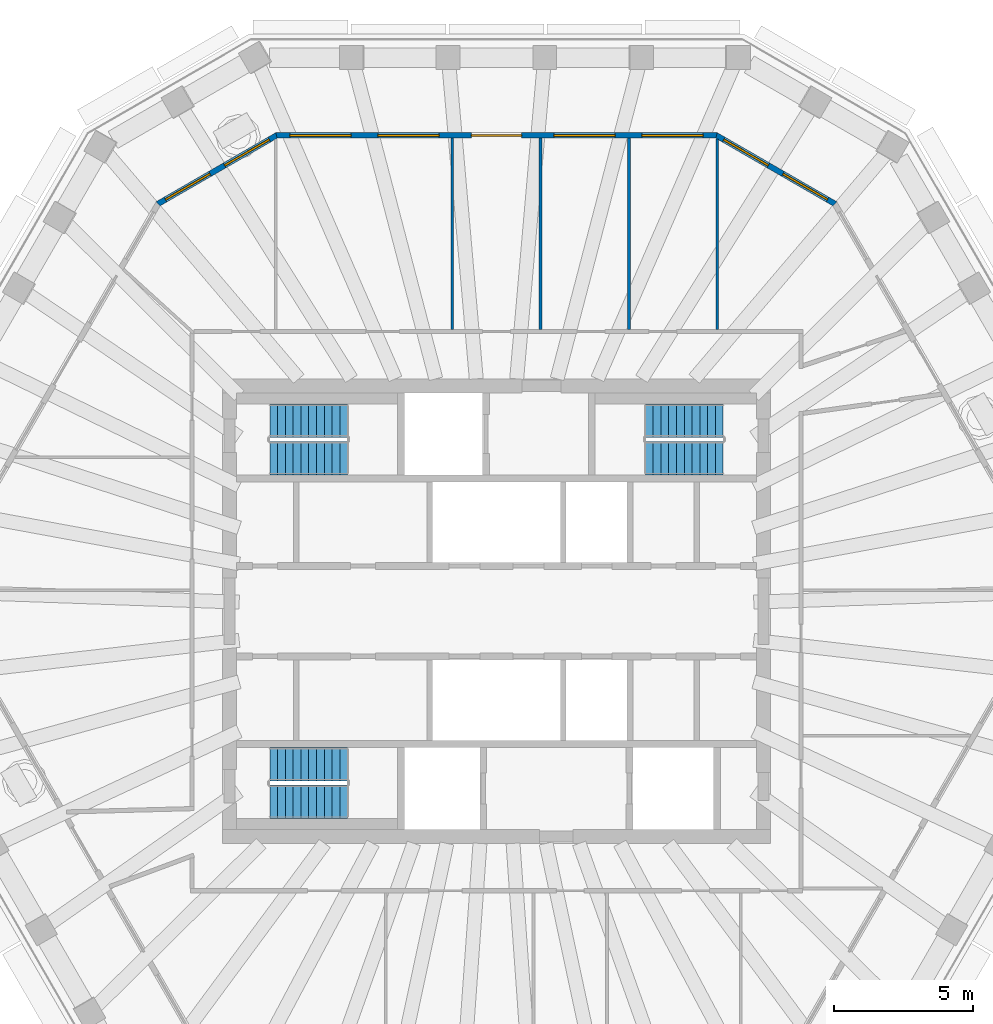
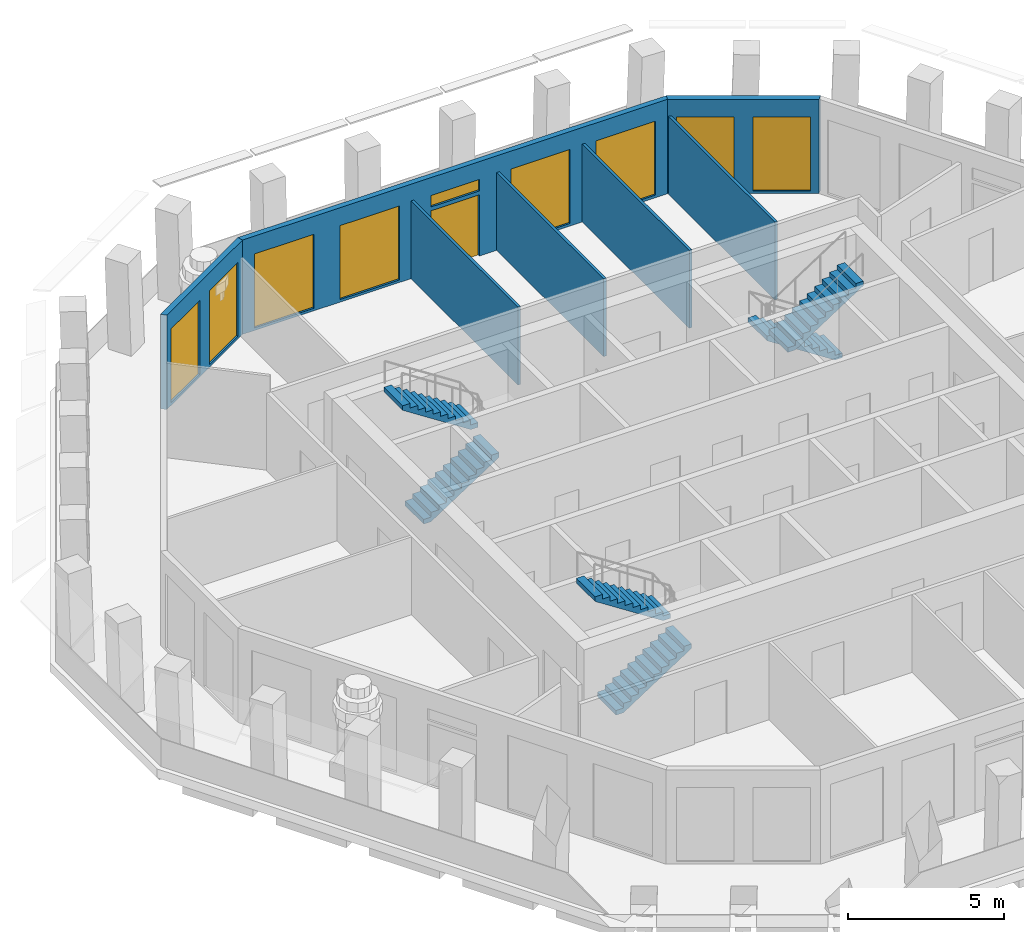
# One storey, part 7 of 11: 9 windows, 7 walls, 6 stair flights, 1 door, 10 openings, 3 elements without a shape of their own.
"""IFC4 building model written with IfcOpenShell, lengths in metres."""

from ifc_helpers import new_model, si_unit, direction, frame, frame_2d, origin, place, context, subcontext, project, spatial, polyline, rectangle, outline, extrude, material, layer, layer_set, type_object, element, fill, aggregate, save


model = new_model("IFC4")

# Units and contexts
model_context = context("Model", 3, precision=1e-05, world=origin(), true_north=direction((0.0, 1.0)))
body_context = subcontext(model_context, "Body", "Model", "MODEL_VIEW")
ifc_project = project(units=[si_unit("LENGTHUNIT", "METRE"), si_unit("AREAUNIT", "SQUARE_METRE"), si_unit("VOLUMEUNIT", "CUBIC_METRE"), si_unit("PLANEANGLEUNIT", "RADIAN"), si_unit("MASSUNIT", "GRAM", prefix="KILO")], contexts=[model_context])

# Site, building, storey
site_placement = place(None, origin())
site = spatial("IfcSite", under=ifc_project, at=site_placement, CompositionType="ELEMENT")
building_placement = place(site_placement, origin())
building = spatial("IfcBuilding", under=site, at=building_placement, Name="Frailejon Research Tower", CompositionType="ELEMENT")
storey_placement = place(building_placement, frame((0.0, 0.0, 332.60009765625)))
storey = spatial("IfcBuildingStorey", under=building, at=storey_placement, Name="L74", CompositionType="ELEMENT", Elevation=332.60009765625)

# Walls
ifc_material_1 = material(Name="Gypsum board and masonry partition", Category="masonry")
ifc_layer_1 = layer(ifc_material_1, 0.10009765625)
ifc_layer_set_1 = layer_set([ifc_layer_1], Name="Partition, gypsum on steel studs 100")
wall_type_1 = type_object("IfcWallType", Name="Partition, gypsum on steel studs 100", PredefinedType="PARTITIONING", material=ifc_layer_set_1)
wall_1_placement = place(storey_placement, frame((7.934814453125, 10.125, 0.0), z_axis=(0.0, 0.0, 1.0), x_axis=(0.0, 1.0, 0.0)))
element("IfcWall", 1, at=wall_1_placement, inside=storey, type_object=wall_type_1, Name="T:IW:L74:013", PredefinedType="PARTITIONING", context=body_context, shape_type="SweptSolid", body=[
    extrude(rectangle(XDim=6.843994140625, YDim=0.10009765625, at=frame_2d((3.421875, 0.0))), origin(), (0.0, 0.0, 1.0), 3.0498046875),
])
for number, where, z_axis, x_axis, name in (
    (2, (4.7607421875, 10.125, 0.0), (0.0, 0.0, 1.0), (0.0, 1.0, 0.0), "T:IW:L74:014"),
    (3, (1.5869140625, 10.125, 0.0), (0.0, 0.0, 1.0), (0.0, 1.0, 0.0), "T:IW:L74:015"),
    (4, (-1.5869140625, 10.125, 0.0), (0.0, 0.0, 1.0), (0.0, 1.0, 0.0), "T:IW:L74:016"),
):
    element("IfcWall", number, at=place(storey_placement, frame(where, z_axis=z_axis, x_axis=x_axis)), inside=storey, type_object=wall_type_1, Name=name, PredefinedType="PARTITIONING", context=body_context, shape_type="SweptSolid", body=[
        extrude(rectangle(XDim=6.875, YDim=0.10009765625, at=frame_2d((3.4375, 0.0))), origin(), (0.0, 0.0, 1.0), 3.0498046875),
    ])

# Wall, openings, windows
ifc_material_2 = material(Name="Concrete C40/50 precast window wall panel", Category="concrete")
ifc_layer_2 = layer(ifc_material_2, 0.199951171875)
ifc_layer_set_2 = layer_set([ifc_layer_2], Name="Window wall 200")
wall_type_2 = type_object("IfcWallType", Name="Window wall 200", PredefinedType="SOLIDWALL", material=ifc_layer_set_2)
wall_2_placement = place(storey_placement, frame((12.16162109375, 14.644287109375, 0.0), z_axis=(0.0, 0.0, 1.0), x_axis=(-0.866029143232, 0.499993523031, 0.0)))
wall_2 = element("IfcWall", 5, at=wall_2_placement, inside=storey, type_object=wall_type_2, Name="Exterior wall L74", PredefinedType="SOLIDWALL", context=body_context, shape_type="SweptSolid", body=[
    extrude(outline(polyline([(-0.02685546875, -0.10009765625), (1.21435546875, -0.10009765625), (2.455810546875, -0.10009765625), (3.697265625, -0.10009765625), (4.9384765625, -0.10009765625), (4.884765625, 0.10009765625), (3.67041015625, 0.10009765625), (2.455810546875, 0.10009765625), (1.2412109375, 0.10009765625), (0.02685546875, 0.10009765625), (-0.02685546875, -0.10009765625)])), origin(), (0.0, 0.0, 1.0), 3.699951171875),
])
opening_1_placement = place(wall_2_placement, frame((0.302978515625, 0.0, 0.10009765625)))
opening_1 = element("IfcOpeningElement", 6, at=opening_1_placement, cuts=wall_2, Name="Opening W26", PredefinedType="OPENING", context=body_context, shape_type="SweptSolid", body=[
    extrude(rectangle(XDim=1.85009765625, YDim=2.89990234375, at=frame_2d((0.925048828125, 1.449951171875))), frame((0.0, 0.10986328125, 0.0), z_axis=(0.0, -1.0, 0.0), x_axis=(1.0, 0.0, 0.0)), (0.0, 0.0, 1.0), 0.219970703125),
])
opening_2_placement = place(wall_2_placement, frame((2.7587890625, 0.0, 0.10009765625)))
opening_2 = element("IfcOpeningElement", 7, at=opening_2_placement, cuts=wall_2, Name="Opening W26", PredefinedType="OPENING", context=body_context, shape_type="SweptSolid", body=[
    extrude(rectangle(XDim=1.85009765625, YDim=2.89990234375, at=frame_2d((0.925048828125, 1.449951171875))), frame((0.0, 0.10986328125, 0.0), z_axis=(0.0, -1.0, 0.0), x_axis=(1.0, 0.0, 0.0)), (0.0, 0.0, 1.0), 0.219970703125),
])
ifc_material_3 = material(Name="Aluminium framed double glazing", Category="aluminium")
window_type_1 = type_object("IfcWindowType", Name="Window 1850x2900", PartitioningType="SINGLE_PANEL", PredefinedType="WINDOW", material=ifc_material_3)
window_1_placement = place(opening_1_placement, origin())
window_1 = element("IfcWindow", 8, at=window_1_placement, inside=storey, type_object=window_type_1, Name="Window L74", OverallHeight=2.89990234375, OverallWidth=1.85009765625, PartitioningType="SINGLE_PANEL", PredefinedType="WINDOW", context=body_context, shape_type="SweptSolid", body=[
    extrude(rectangle(XDim=1.85009765625, YDim=2.89990234375, at=frame_2d((0.925048828125, 1.449951171875))), frame((0.0, 0.030029296875, 0.0), z_axis=(0.0, -1.0, 0.0), x_axis=(1.0, 0.0, 0.0)), (0.0, 0.0, 1.0), 0.06005859375),
])
fill(opening_1, window_1)
window_2_placement = place(opening_2_placement, origin())
window_2 = element("IfcWindow", 9, at=window_2_placement, inside=storey, type_object=window_type_1, Name="Window L74", OverallHeight=2.89990234375, OverallWidth=1.85009765625, PartitioningType="SINGLE_PANEL", PredefinedType="WINDOW", context=body_context, shape_type="SweptSolid", body=[
    extrude(rectangle(XDim=1.85009765625, YDim=2.89990234375, at=frame_2d((0.925048828125, 1.449951171875))), frame((0.0, 0.030029296875, 0.0), z_axis=(0.0, -1.0, 0.0), x_axis=(1.0, 0.0, 0.0)), (0.0, 0.0, 1.0), 0.06005859375),
])
fill(opening_2, window_2)

# Wall, openings, door, windows
wall_3_placement = place(storey_placement, frame((7.907958984375, 17.10009765625, 0.0), z_axis=(0.0, 0.0, 1.0), x_axis=(-1.0, 0.0, 0.0)))
wall_3 = element("IfcWall", 10, at=wall_3_placement, inside=storey, type_object=wall_type_2, Name="Exterior wall L74", PredefinedType="SOLIDWALL", context=body_context, shape_type="SweptSolid", body=[
    extrude(outline(polyline([(-0.02685546875, -0.10009765625), (1.031005859375, -0.10009765625), (2.089111328125, -0.10009765625), (3.14697265625, -0.10009765625), (4.205078125, -0.10009765625), (5.262939453125, -0.10009765625), (6.321044921875, -0.10009765625), (7.37890625, -0.10009765625), (8.43701171875, -0.10009765625), (9.494873046875, -0.10009765625), (10.552978515625, -0.10009765625), (11.61083984375, -0.10009765625), (12.6689453125, -0.10009765625), (13.726806640625, -0.10009765625), (14.784912109375, -0.10009765625), (15.8427734375, -0.10009765625), (15.7890625, 0.10009765625), (14.73828125, 0.10009765625), (13.6875, 0.10009765625), (12.63671875, 0.10009765625), (11.585693359375, 0.10009765625), (10.534912109375, 0.10009765625), (9.484130859375, 0.10009765625), (8.433349609375, 0.10009765625), (7.382568359375, 0.10009765625), (6.331787109375, 0.10009765625), (5.281005859375, 0.10009765625), (4.230224609375, 0.10009765625), (3.17919921875, 0.10009765625), (2.12841796875, 0.10009765625), (1.07763671875, 0.10009765625), (0.02685546875, 0.10009765625), (-0.02685546875, -0.10009765625)])), origin(), (0.0, 0.0, 1.0), 3.699951171875),
])
opening_3_placement = place(wall_3_placement, frame((0.481689453125, 0.0, 0.10009765625)))
opening_3 = element("IfcOpeningElement", 11, at=opening_3_placement, cuts=wall_3, Name="Opening W28", PredefinedType="OPENING", context=body_context, shape_type="SweptSolid", body=[
    extrude(rectangle(XDim=2.199951171875, YDim=2.89990234375, at=frame_2d((1.10009765625, 1.449951171875))), frame((0.0, 0.10986328125, 0.0), z_axis=(0.0, -1.0, 0.0), x_axis=(1.0, 0.0, 0.0)), (0.0, 0.0, 1.0), 0.219970703125),
])
opening_4_placement = place(wall_3_placement, frame((3.644775390625, 0.0, 0.10009765625)))
opening_4 = element("IfcOpeningElement", 12, at=opening_4_placement, cuts=wall_3, Name="Opening W28", PredefinedType="OPENING", context=body_context, shape_type="SweptSolid", body=[
    extrude(rectangle(XDim=2.199951171875, YDim=2.89990234375, at=frame_2d((1.10009765625, 1.449951171875))), frame((0.0, 0.10986328125, 0.0), z_axis=(0.0, -1.0, 0.0), x_axis=(1.0, 0.0, 0.0)), (0.0, 0.0, 1.0), 0.219970703125),
])
opening_5_placement = place(wall_3_placement, frame((7.0078125, 0.0, 0.0)))
opening_5 = element("IfcOpeningElement", 13, at=opening_5_placement, cuts=wall_3, Name="Opening LG74-2", PredefinedType="OPENING", context=body_context, shape_type="SweptSolid", body=[
    extrude(rectangle(XDim=1.800048828125, YDim=2.39990234375, at=frame_2d((0.89990234375, 1.199951171875))), frame((0.0, 0.10986328125, 0.0), z_axis=(0.0, -1.0, 0.0), x_axis=(1.0, 0.0, 0.0)), (0.0, 0.0, 1.0), 0.219970703125),
])
opening_6_placement = place(wall_3_placement, frame((7.0078125, 0.0, 2.550048828125)))
opening_6 = element("IfcOpeningElement", 14, at=opening_6_placement, cuts=wall_3, Name="Opening W1", PredefinedType="OPENING", context=body_context, shape_type="SweptSolid", body=[
    extrude(rectangle(XDim=1.800048828125, YDim=0.449951171875, at=frame_2d((0.89990234375, 0.22509765625))), frame((0.0, 0.10986328125, 0.0), z_axis=(0.0, -1.0, 0.0), x_axis=(1.0, 0.0, 0.0)), (0.0, 0.0, 1.0), 0.219970703125),
])
opening_7_placement = place(wall_3_placement, frame((9.970947265625, 0.0, 0.10009765625)))
opening_7 = element("IfcOpeningElement", 15, at=opening_7_placement, cuts=wall_3, Name="Opening W28", PredefinedType="OPENING", context=body_context, shape_type="SweptSolid", body=[
    extrude(rectangle(XDim=2.199951171875, YDim=2.89990234375, at=frame_2d((1.10009765625, 1.449951171875))), frame((0.0, 0.10986328125, 0.0), z_axis=(0.0, -1.0, 0.0), x_axis=(1.0, 0.0, 0.0)), (0.0, 0.0, 1.0), 0.219970703125),
])
opening_8_placement = place(wall_3_placement, frame((13.13427734375, 0.0, 0.10009765625)))
opening_8 = element("IfcOpeningElement", 16, at=opening_8_placement, cuts=wall_3, Name="Opening W28", PredefinedType="OPENING", context=body_context, shape_type="SweptSolid", body=[
    extrude(rectangle(XDim=2.199951171875, YDim=2.89990234375, at=frame_2d((1.10009765625, 1.449951171875))), frame((0.0, 0.10986328125, 0.0), z_axis=(0.0, -1.0, 0.0), x_axis=(1.0, 0.0, 0.0)), (0.0, 0.0, 1.0), 0.219970703125),
])
ifc_material_4 = material(Name="Aluminium framed glazed door leaf", Category="aluminium")
door_type = type_object("IfcDoorType", Name="Loggia door 1800x2400", OperationType="DOUBLE_DOOR_SINGLE_SWING", PredefinedType="DOOR", material=ifc_material_4)
door_placement = place(opening_5_placement, origin())
door = element("IfcDoor", 17, at=door_placement, inside=storey, type_object=door_type, Name="Door LG74-2", OperationType="DOUBLE_DOOR_SINGLE_SWING", OverallHeight=2.39990234375, OverallWidth=1.800048828125, PredefinedType="DOOR", context=body_context, shape_type="SweptSolid", body=[
    extrude(rectangle(XDim=1.800048828125, YDim=2.39990234375, at=frame_2d((0.89990234375, 1.199951171875))), frame((0.0, 0.02490234375, 0.0), z_axis=(0.0, -1.0, 0.0), x_axis=(1.0, 0.0, 0.0)), (0.0, 0.0, 1.0), 0.050048828125),
])
fill(opening_5, door)
ifc_material_5 = material(Name="Aluminium framed double glazing", Category="aluminium")
window_type_2 = type_object("IfcWindowType", Name="Window 1800x450", PartitioningType="SINGLE_PANEL", PredefinedType="WINDOW", material=ifc_material_5)
window_3_placement = place(opening_6_placement, origin())
window_3 = element("IfcWindow", 18, at=window_3_placement, inside=storey, type_object=window_type_2, Name="Window L74", OverallHeight=0.449951171875, OverallWidth=1.800048828125, PartitioningType="SINGLE_PANEL", PredefinedType="WINDOW", context=body_context, shape_type="SweptSolid", body=[
    extrude(rectangle(XDim=1.800048828125, YDim=0.449951171875, at=frame_2d((0.89990234375, 0.22509765625))), frame((0.0, 0.030029296875, 0.0), z_axis=(0.0, -1.0, 0.0), x_axis=(1.0, 0.0, 0.0)), (0.0, 0.0, 1.0), 0.06005859375),
])
fill(opening_6, window_3)
ifc_material_6 = material(Name="Aluminium framed double glazing", Category="aluminium")
window_type_3 = type_object("IfcWindowType", Name="Window 2200x2900", PartitioningType="SINGLE_PANEL", PredefinedType="WINDOW", material=ifc_material_6)
window_4_placement = place(opening_3_placement, origin())
window_4 = element("IfcWindow", 19, at=window_4_placement, inside=storey, type_object=window_type_3, Name="Window L74", OverallHeight=2.89990234375, OverallWidth=2.199951171875, PartitioningType="SINGLE_PANEL", PredefinedType="WINDOW", context=body_context, shape_type="SweptSolid", body=[
    extrude(rectangle(XDim=2.199951171875, YDim=2.89990234375, at=frame_2d((1.10009765625, 1.449951171875))), frame((0.0, 0.030029296875, 0.0), z_axis=(0.0, -1.0, 0.0), x_axis=(1.0, 0.0, 0.0)), (0.0, 0.0, 1.0), 0.06005859375),
])
fill(opening_3, window_4)
window_5_placement = place(opening_4_placement, origin())
window_5 = element("IfcWindow", 20, at=window_5_placement, inside=storey, type_object=window_type_3, Name="Window L74", OverallHeight=2.89990234375, OverallWidth=2.199951171875, PartitioningType="SINGLE_PANEL", PredefinedType="WINDOW", context=body_context, shape_type="SweptSolid", body=[
    extrude(rectangle(XDim=2.199951171875, YDim=2.89990234375, at=frame_2d((1.10009765625, 1.449951171875))), frame((0.0, 0.030029296875, 0.0), z_axis=(0.0, -1.0, 0.0), x_axis=(1.0, 0.0, 0.0)), (0.0, 0.0, 1.0), 0.06005859375),
])
fill(opening_4, window_5)
window_6_placement = place(opening_7_placement, origin())
window_6 = element("IfcWindow", 21, at=window_6_placement, inside=storey, type_object=window_type_3, Name="Window L74", OverallHeight=2.89990234375, OverallWidth=2.199951171875, PartitioningType="SINGLE_PANEL", PredefinedType="WINDOW", context=body_context, shape_type="SweptSolid", body=[
    extrude(rectangle(XDim=2.199951171875, YDim=2.89990234375, at=frame_2d((1.10009765625, 1.449951171875))), frame((0.0, 0.030029296875, 0.0), z_axis=(0.0, -1.0, 0.0), x_axis=(1.0, 0.0, 0.0)), (0.0, 0.0, 1.0), 0.06005859375),
])
fill(opening_7, window_6)
window_7_placement = place(opening_8_placement, origin())
window_7 = element("IfcWindow", 22, at=window_7_placement, inside=storey, type_object=window_type_3, Name="Window L74", OverallHeight=2.89990234375, OverallWidth=2.199951171875, PartitioningType="SINGLE_PANEL", PredefinedType="WINDOW", context=body_context, shape_type="SweptSolid", body=[
    extrude(rectangle(XDim=2.199951171875, YDim=2.89990234375, at=frame_2d((1.10009765625, 1.449951171875))), frame((0.0, 0.030029296875, 0.0), z_axis=(0.0, -1.0, 0.0), x_axis=(1.0, 0.0, 0.0)), (0.0, 0.0, 1.0), 0.06005859375),
])
fill(opening_8, window_7)

# Wall, openings, windows
wall_4_placement = place(storey_placement, frame((-7.907958984375, 17.10009765625, 0.0), z_axis=(0.0, 0.0, 1.0), x_axis=(-0.866029143232, -0.499993523031, 0.0)))
wall_4 = element("IfcWall", 23, at=wall_4_placement, inside=storey, type_object=wall_type_2, Name="Exterior wall L74", PredefinedType="SOLIDWALL", context=body_context, shape_type="SweptSolid", body=[
    extrude(outline(polyline([(-0.02685546875, -0.10009765625), (1.21435546875, -0.10009765625), (2.455810546875, -0.10009765625), (3.697265625, -0.10009765625), (4.9384765625, -0.10009765625), (4.884765625, 0.10009765625), (3.67041015625, 0.10009765625), (2.455810546875, 0.10009765625), (1.2412109375, 0.10009765625), (0.02685546875, 0.10009765625), (-0.02685546875, -0.10009765625)])), origin(), (0.0, 0.0, 1.0), 3.699951171875),
])
opening_9_placement = place(wall_4_placement, frame((0.302978515625, 0.0, 0.10009765625)))
opening_9 = element("IfcOpeningElement", 24, at=opening_9_placement, cuts=wall_4, Name="Opening W26", PredefinedType="OPENING", context=body_context, shape_type="SweptSolid", body=[
    extrude(rectangle(XDim=1.85009765625, YDim=2.89990234375, at=frame_2d((0.925048828125, 1.449951171875))), frame((0.0, 0.10986328125, 0.0), z_axis=(0.0, -1.0, 0.0), x_axis=(1.0, 0.0, 0.0)), (0.0, 0.0, 1.0), 0.219970703125),
])
opening_10_placement = place(wall_4_placement, frame((2.7587890625, 0.0, 0.10009765625)))
opening_10 = element("IfcOpeningElement", 25, at=opening_10_placement, cuts=wall_4, Name="Opening W26", PredefinedType="OPENING", context=body_context, shape_type="SweptSolid", body=[
    extrude(rectangle(XDim=1.85009765625, YDim=2.89990234375, at=frame_2d((0.925048828125, 1.449951171875))), frame((0.0, 0.10986328125, 0.0), z_axis=(0.0, -1.0, 0.0), x_axis=(1.0, 0.0, 0.0)), (0.0, 0.0, 1.0), 0.219970703125),
])
window_8_placement = place(opening_9_placement, origin())
window_8 = element("IfcWindow", 26, at=window_8_placement, inside=storey, type_object=window_type_1, Name="Window L74", OverallHeight=2.89990234375, OverallWidth=1.85009765625, PartitioningType="SINGLE_PANEL", PredefinedType="WINDOW", context=body_context, shape_type="SweptSolid", body=[
    extrude(rectangle(XDim=1.85009765625, YDim=2.89990234375, at=frame_2d((0.925048828125, 1.449951171875))), frame((0.0, 0.030029296875, 0.0), z_axis=(0.0, -1.0, 0.0), x_axis=(1.0, 0.0, 0.0)), (0.0, 0.0, 1.0), 0.06005859375),
])
fill(opening_9, window_8)
window_9_placement = place(opening_10_placement, origin())
window_9 = element("IfcWindow", 27, at=window_9_placement, inside=storey, type_object=window_type_1, Name="Window L74", OverallHeight=2.89990234375, OverallWidth=1.85009765625, PartitioningType="SINGLE_PANEL", PredefinedType="WINDOW", context=body_context, shape_type="SweptSolid", body=[
    extrude(rectangle(XDim=1.85009765625, YDim=2.89990234375, at=frame_2d((0.925048828125, 1.449951171875))), frame((0.0, 0.030029296875, 0.0), z_axis=(0.0, -1.0, 0.0), x_axis=(1.0, 0.0, 0.0)), (0.0, 0.0, 1.0), 0.06005859375),
])
fill(opening_10, window_9)

# Stair, stair flights
ifc_material_7 = material(Name="Concrete C50/60", Category="concrete")
stair_type = type_object("IfcStairType", Name="Exit stair 22 risers", PredefinedType="HALF_TURN_STAIR", material=ifc_material_7)
stair_1_placement = place(storey_placement, origin())
stair_1 = element("IfcStair", 28, at=stair_1_placement, inside=storey, type_object=stair_type, Name="L74 Exit stair ST1", PredefinedType="HALF_TURN_STAIR")
ifc_material_8 = material(Name="Concrete C50/60", Category="concrete")
ifc_layer_3 = layer(ifc_material_8, 0.14990234375)
ifc_layer_set_3 = layer_set([ifc_layer_3], Name="Stair flight 11 risers")
stair_flight_type = type_object("IfcStairFlightType", Name="Stair flight 11 risers", PredefinedType="STRAIGHT", material=ifc_layer_set_3)
stair_flight_1_placement = place(storey_placement, frame((-8.14990234375, 5.5, 0.0), z_axis=(0.0, 0.0, 1.0), x_axis=(1.0, 0.0, 0.0)))
stair_flight_1 = element("IfcStairFlight", 29, at=stair_flight_1_placement, type_object=stair_flight_type, Name="ST1 flight 1", NumberOfRisers=11, NumberOfTreads=10, PredefinedType="STRAIGHT", RiserHeight=0.181818182, TreadLength=0.28, context=body_context, shape_type="SweptSolid", body=[
    extrude(outline(polyline([(0.0, 0.0), (0.0, 0.181884765625), (0.280029296875, 0.181884765625), (0.280029296875, 0.363525390625), (0.56005859375, 0.363525390625), (0.56005859375, 0.54541015625), (0.840087890625, 0.54541015625), (0.840087890625, 0.727294921875), (1.1201171875, 0.727294921875), (1.1201171875, 0.9091796875), (1.39990234375, 0.9091796875), (1.39990234375, 1.0908203125), (1.679931640625, 1.0908203125), (1.679931640625, 1.272705078125), (1.9599609375, 1.272705078125), (1.9599609375, 1.45458984375), (2.239990234375, 1.45458984375), (2.239990234375, 1.636474609375), (2.52001953125, 1.636474609375), (2.52001953125, 1.818115234375), (2.800048828125, 1.818115234375), (2.800048828125, 2.0), (2.800048828125, 1.639404296875), (0.275146484375, 0.0), (0.0, 0.0)])), frame((0.0, 0.60009765625, 0.0), z_axis=(0.0, -1.0, 0.0), x_axis=(1.0, 0.0, 0.0)), (0.0, 0.0, 1.0), 1.199951171875),
])
stair_flight_2_placement = place(storey_placement, frame((-5.35009765625, 6.85009765625, 2.0), z_axis=(0.0, 0.0, 1.0), x_axis=(-1.0, 0.0, 0.0)))
stair_flight_2 = element("IfcStairFlight", 30, at=stair_flight_2_placement, type_object=stair_flight_type, Name="ST1 flight 2", NumberOfRisers=11, NumberOfTreads=10, PredefinedType="STRAIGHT", RiserHeight=0.181818182, TreadLength=0.28, context=body_context, shape_type="SweptSolid", body=[
    extrude(outline(polyline([(0.0, 0.0), (0.0, 0.181884765625), (0.280029296875, 0.181884765625), (0.280029296875, 0.363525390625), (0.56005859375, 0.363525390625), (0.56005859375, 0.54541015625), (0.840087890625, 0.54541015625), (0.840087890625, 0.727294921875), (1.1201171875, 0.727294921875), (1.1201171875, 0.9091796875), (1.39990234375, 0.9091796875), (1.39990234375, 1.0908203125), (1.679931640625, 1.0908203125), (1.679931640625, 1.272705078125), (1.9599609375, 1.272705078125), (1.9599609375, 1.45458984375), (2.239990234375, 1.45458984375), (2.239990234375, 1.636474609375), (2.52001953125, 1.636474609375), (2.52001953125, 1.818115234375), (2.800048828125, 1.818115234375), (2.800048828125, 2.0), (2.800048828125, 1.639404296875), (0.275146484375, 0.0), (0.0, 0.0)])), frame((0.0, 0.60009765625, 0.0), z_axis=(0.0, -1.0, 0.0), x_axis=(1.0, 0.0, 0.0)), (0.0, 0.0, 1.0), 1.199951171875),
])
aggregate(stair_1, [stair_flight_1, stair_flight_2])

stair_2_placement = place(storey_placement, origin())
stair_2 = element("IfcStair", 31, at=stair_2_placement, inside=storey, type_object=stair_type, Name="L74 Exit stair ST2", PredefinedType="HALF_TURN_STAIR")
stair_flight_3_placement = place(storey_placement, frame((-8.14990234375, -6.85009765625, 0.0), z_axis=(0.0, 0.0, 1.0), x_axis=(1.0, 0.0, 0.0)))
stair_flight_3 = element("IfcStairFlight", 32, at=stair_flight_3_placement, type_object=stair_flight_type, Name="ST2 flight 1", NumberOfRisers=11, NumberOfTreads=10, PredefinedType="STRAIGHT", RiserHeight=0.181818182, TreadLength=0.28, context=body_context, shape_type="SweptSolid", body=[
    extrude(outline(polyline([(0.0, 0.0), (0.0, 0.181884765625), (0.280029296875, 0.181884765625), (0.280029296875, 0.363525390625), (0.56005859375, 0.363525390625), (0.56005859375, 0.54541015625), (0.840087890625, 0.54541015625), (0.840087890625, 0.727294921875), (1.1201171875, 0.727294921875), (1.1201171875, 0.9091796875), (1.39990234375, 0.9091796875), (1.39990234375, 1.0908203125), (1.679931640625, 1.0908203125), (1.679931640625, 1.272705078125), (1.9599609375, 1.272705078125), (1.9599609375, 1.45458984375), (2.239990234375, 1.45458984375), (2.239990234375, 1.636474609375), (2.52001953125, 1.636474609375), (2.52001953125, 1.818115234375), (2.800048828125, 1.818115234375), (2.800048828125, 2.0), (2.800048828125, 1.639404296875), (0.275146484375, 0.0), (0.0, 0.0)])), frame((0.0, 0.60009765625, 0.0), z_axis=(0.0, -1.0, 0.0), x_axis=(1.0, 0.0, 0.0)), (0.0, 0.0, 1.0), 1.199951171875),
])
stair_flight_4_placement = place(storey_placement, frame((-5.35009765625, -5.5, 2.0), z_axis=(0.0, 0.0, 1.0), x_axis=(-1.0, 0.0, 0.0)))
stair_flight_4 = element("IfcStairFlight", 33, at=stair_flight_4_placement, type_object=stair_flight_type, Name="ST2 flight 2", NumberOfRisers=11, NumberOfTreads=10, PredefinedType="STRAIGHT", RiserHeight=0.181818182, TreadLength=0.28, context=body_context, shape_type="SweptSolid", body=[
    extrude(outline(polyline([(0.0, 0.0), (0.0, 0.181884765625), (0.280029296875, 0.181884765625), (0.280029296875, 0.363525390625), (0.56005859375, 0.363525390625), (0.56005859375, 0.54541015625), (0.840087890625, 0.54541015625), (0.840087890625, 0.727294921875), (1.1201171875, 0.727294921875), (1.1201171875, 0.9091796875), (1.39990234375, 0.9091796875), (1.39990234375, 1.0908203125), (1.679931640625, 1.0908203125), (1.679931640625, 1.272705078125), (1.9599609375, 1.272705078125), (1.9599609375, 1.45458984375), (2.239990234375, 1.45458984375), (2.239990234375, 1.636474609375), (2.52001953125, 1.636474609375), (2.52001953125, 1.818115234375), (2.800048828125, 1.818115234375), (2.800048828125, 2.0), (2.800048828125, 1.639404296875), (0.275146484375, 0.0), (0.0, 0.0)])), frame((0.0, 0.60009765625, 0.0), z_axis=(0.0, -1.0, 0.0), x_axis=(1.0, 0.0, 0.0)), (0.0, 0.0, 1.0), 1.199951171875),
])
aggregate(stair_2, [stair_flight_3, stair_flight_4])

stair_3_placement = place(storey_placement, origin())
stair_3 = element("IfcStair", 34, at=stair_3_placement, inside=storey, type_object=stair_type, Name="L74 Exit stair ST3", PredefinedType="HALF_TURN_STAIR")
stair_flight_5_placement = place(storey_placement, frame((8.14990234375, 6.85009765625, 0.0), z_axis=(0.0, 0.0, 1.0), x_axis=(-1.0, 0.0, 0.0)))
stair_flight_5 = element("IfcStairFlight", 35, at=stair_flight_5_placement, type_object=stair_flight_type, Name="ST3 flight 1", NumberOfRisers=11, NumberOfTreads=10, PredefinedType="STRAIGHT", RiserHeight=0.181818182, TreadLength=0.28, context=body_context, shape_type="SweptSolid", body=[
    extrude(outline(polyline([(0.0, 0.0), (0.0, 0.181884765625), (0.280029296875, 0.181884765625), (0.280029296875, 0.363525390625), (0.56005859375, 0.363525390625), (0.56005859375, 0.54541015625), (0.840087890625, 0.54541015625), (0.840087890625, 0.727294921875), (1.1201171875, 0.727294921875), (1.1201171875, 0.9091796875), (1.39990234375, 0.9091796875), (1.39990234375, 1.0908203125), (1.679931640625, 1.0908203125), (1.679931640625, 1.272705078125), (1.9599609375, 1.272705078125), (1.9599609375, 1.45458984375), (2.239990234375, 1.45458984375), (2.239990234375, 1.636474609375), (2.52001953125, 1.636474609375), (2.52001953125, 1.818115234375), (2.800048828125, 1.818115234375), (2.800048828125, 2.0), (2.800048828125, 1.639404296875), (0.275146484375, 0.0), (0.0, 0.0)])), frame((0.0, 0.60009765625, 0.0), z_axis=(0.0, -1.0, 0.0), x_axis=(1.0, 0.0, 0.0)), (0.0, 0.0, 1.0), 1.199951171875),
])
stair_flight_6_placement = place(storey_placement, frame((5.35009765625, 5.5, 2.0), z_axis=(0.0, 0.0, 1.0), x_axis=(1.0, 0.0, 0.0)))
stair_flight_6 = element("IfcStairFlight", 36, at=stair_flight_6_placement, type_object=stair_flight_type, Name="ST3 flight 2", NumberOfRisers=11, NumberOfTreads=10, PredefinedType="STRAIGHT", RiserHeight=0.181818182, TreadLength=0.28, context=body_context, shape_type="SweptSolid", body=[
    extrude(outline(polyline([(0.0, 0.0), (0.0, 0.181884765625), (0.280029296875, 0.181884765625), (0.280029296875, 0.363525390625), (0.56005859375, 0.363525390625), (0.56005859375, 0.54541015625), (0.840087890625, 0.54541015625), (0.840087890625, 0.727294921875), (1.1201171875, 0.727294921875), (1.1201171875, 0.9091796875), (1.39990234375, 0.9091796875), (1.39990234375, 1.0908203125), (1.679931640625, 1.0908203125), (1.679931640625, 1.272705078125), (1.9599609375, 1.272705078125), (1.9599609375, 1.45458984375), (2.239990234375, 1.45458984375), (2.239990234375, 1.636474609375), (2.52001953125, 1.636474609375), (2.52001953125, 1.818115234375), (2.800048828125, 1.818115234375), (2.800048828125, 2.0), (2.800048828125, 1.639404296875), (0.275146484375, 0.0), (0.0, 0.0)])), frame((0.0, 0.60009765625, 0.0), z_axis=(0.0, -1.0, 0.0), x_axis=(1.0, 0.0, 0.0)), (0.0, 0.0, 1.0), 1.199951171875),
])
aggregate(stair_3, [stair_flight_5, stair_flight_6])

save(model, "model.ifc")
